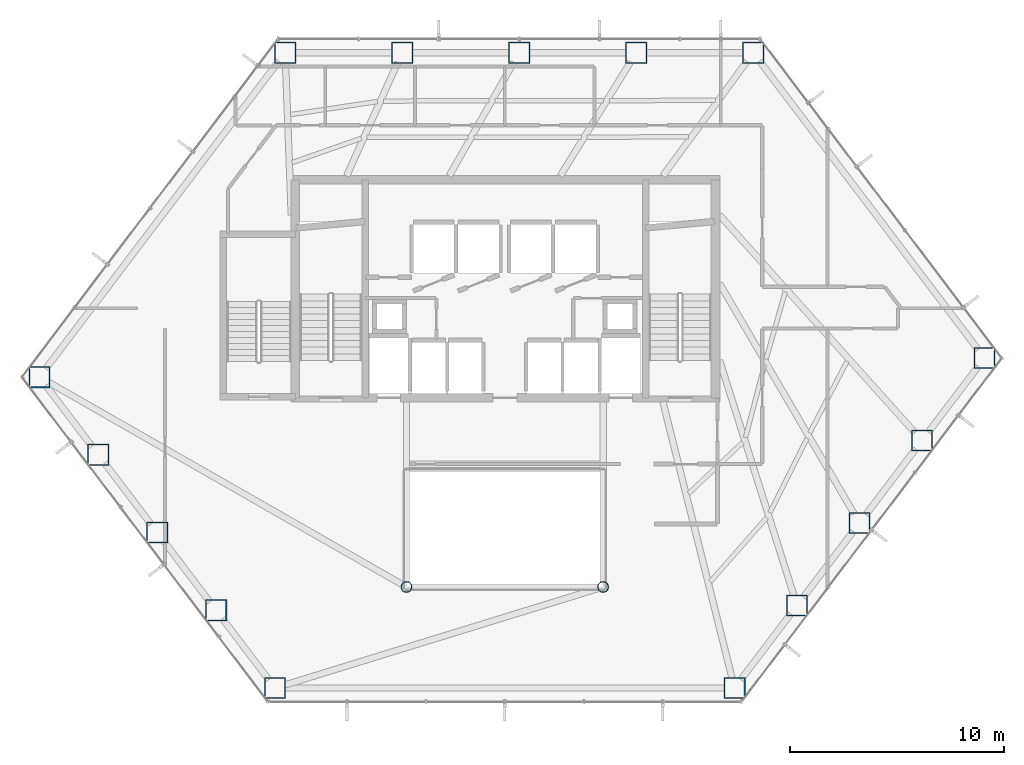
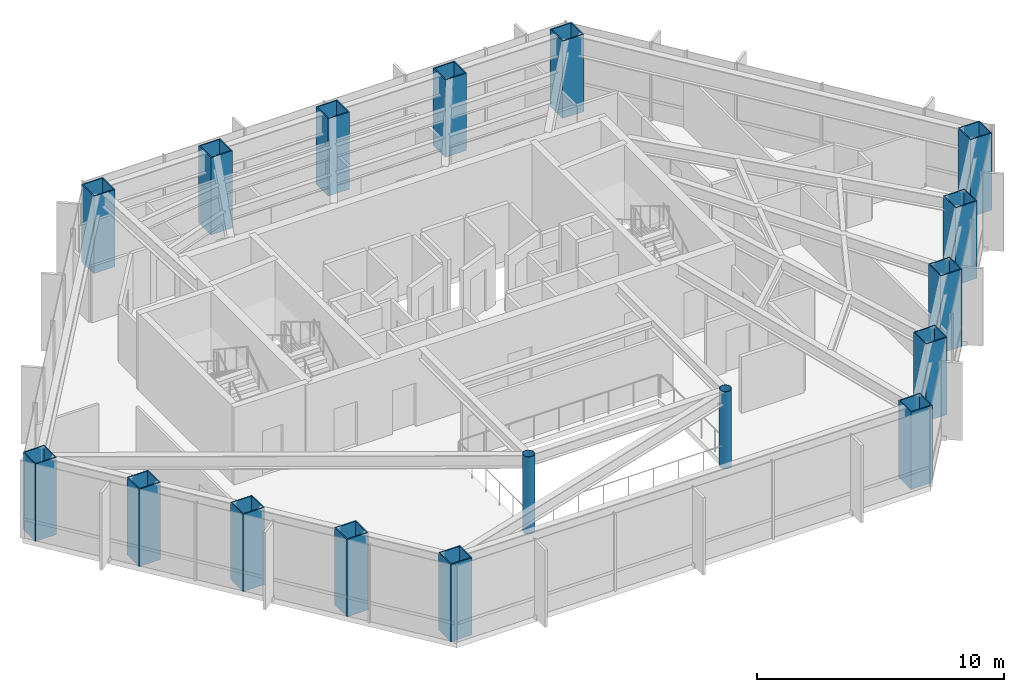
# One storey, part 1 of 25: 17 columns.
"""IFC4 building model written with IfcOpenShell, lengths in metres."""

from ifc_helpers import new_model, si_unit, direction, frame, origin, origin_2d, place, context, subcontext, project, spatial, hollow_rectangle, hollow_circle, extrude, material, material_profile, profile_set, type_object, element, save


model = new_model("IFC4")

# Units and contexts
model_context = context("Model", 3, precision=1e-05, world=origin(), true_north=direction((0.0, 1.0)))
body_context = subcontext(model_context, "Body", "Model", "MODEL_VIEW")
ifc_project = project(units=[si_unit("LENGTHUNIT", "METRE"), si_unit("AREAUNIT", "SQUARE_METRE"), si_unit("VOLUMEUNIT", "CUBIC_METRE"), si_unit("PLANEANGLEUNIT", "RADIAN"), si_unit("MASSUNIT", "GRAM", prefix="KILO")], contexts=[model_context])

# Site, building, storey
site_placement = place(None, origin())
site = spatial("IfcSite", under=ifc_project, at=site_placement, CompositionType="ELEMENT")
building_placement = place(site_placement, origin())
building = spatial("IfcBuilding", under=site, at=building_placement, Name="Zarrinselat Tower", CompositionType="ELEMENT")
storey_placement = place(building_placement, frame((0.0, 0.0, 43.860107421875)))
storey = spatial("IfcBuildingStorey", under=building, at=storey_placement, Name="L10", CompositionType="ELEMENT", Elevation=43.860107421875)

# Columns
ifc_material_1 = material(Name="Steel S355J2", Category="steel")
ifc_material_profile_1 = material_profile(ifc_material_1, hollow_circle(Radius=0.25390625, WallThickness=0.02001953125, at=origin_2d()), Name="CHS 508x20")
ifc_profile_set_1 = profile_set([ifc_material_profile_1], Name="Steel S355J2")
column_type_1 = type_object("IfcColumnType", Name="COL-CHS508", PredefinedType="COLUMN", material=ifc_profile_set_1)
for number, where, z_axis, x_axis, name in (
    (1, (33.800048828125, 24.39990234375, 0.0), (0.0, 0.0, 1.0), (1.0, 0.0, 0.0), "L10 Atrium Corner Column 1"),
    (2, (43.0, 24.39990234375, 0.0), (0.0, 0.0, 1.0), (1.0, 0.0, 0.0), "L10 Atrium Corner Column 2"),
):
    element("IfcColumn", number, at=place(storey_placement, frame(where, z_axis=z_axis, x_axis=x_axis)), inside=storey, type_object=column_type_1, Name=name, PredefinedType="COLUMN", context=body_context, shape_type="SweptSolid", body=[
        extrude(hollow_circle(Radius=0.25390625, WallThickness=0.02001953125, at=origin_2d()), origin(), (0.0, 0.0, 1.0), 3.81982421875),
    ])
ifc_material_2 = material(Name="Steel S460M", Category="steel")
ifc_material_profile_2 = material_profile(ifc_material_2, hollow_rectangle(XDim=1.0, YDim=1.0, WallThickness=0.050048828125, at=origin_2d()), Name="SHS 1000x1000x50")
ifc_profile_set_2 = profile_set([ifc_material_profile_2], Name="Steel S460M")
column_type_2 = type_object("IfcColumnType", Name="COL-SHS1000", PredefinedType="COLUMN", material=ifc_profile_set_2)
for number, where, z_axis, x_axis, name in (
    (3, (50.0263671875, 49.394287109375, 0.0), (0.0, 0.0, 1.0), (1.0, 0.0, 0.0), "L10 Framed-Tube Column T01"),
    (4, (44.55029296875, 49.394287109375, 0.0), (0.0, 0.0, 1.0), (1.0, 0.0, 0.0), "L10 Framed-Tube Column T02"),
    (5, (39.07421875, 49.394287109375, 0.0), (0.0, 0.0, 1.0), (1.0, 0.0, 0.0), "L10 Framed-Tube Column T03"),
    (6, (33.59814453125, 49.394287109375, 0.0), (0.0, 0.0, 1.0), (1.0, 0.0, 0.0), "L10 Framed-Tube Column T04"),
    (7, (28.1220703125, 49.394287109375, 0.0), (0.0, 0.0, 1.0), (1.0, 0.0, 0.0), "L10 Framed-Tube Column T05"),
    (8, (16.627197265625, 34.220947265625, 0.0), (0.0, 0.0, 1.0), (1.0, 0.0, 0.0), "L10 Framed-Tube Column T06"),
    (9, (19.382568359375, 30.583984375, 0.0), (0.0, 0.0, 1.0), (1.0, 0.0, 0.0), "L10 Framed-Tube Column T07"),
    (10, (22.1376953125, 26.947021484375, 0.0), (0.0, 0.0, 1.0), (1.0, 0.0, 0.0), "L10 Framed-Tube Column T08"),
    (11, (24.89306640625, 23.309814453125, 0.0), (0.0, 0.0, 1.0), (1.0, 0.0, 0.0), "L10 Framed-Tube Column T09"),
    (12, (27.6484375, 19.6728515625, 0.0), (0.0, 0.0, 1.0), (1.0, 0.0, 0.0), "L10 Framed-Tube Column T10"),
    (13, (49.151611328125, 19.6728515625, 0.0), (0.0, 0.0, 1.0), (1.0, 0.0, 0.0), "L10 Framed-Tube Column T11"),
    (14, (52.075439453125, 23.532470703125, 0.0), (0.0, 0.0, 1.0), (1.0, 0.0, 0.0), "L10 Framed-Tube Column T12"),
    (15, (54.999267578125, 27.391845703125, 0.0), (0.0, 0.0, 1.0), (1.0, 0.0, 0.0), "L10 Framed-Tube Column T13"),
    (16, (57.923095703125, 31.25146484375, 0.0), (0.0, 0.0, 1.0), (1.0, 0.0, 0.0), "L10 Framed-Tube Column T14"),
    (17, (60.84716796875, 35.111083984375, 0.0), (0.0, 0.0, 1.0), (1.0, 0.0, 0.0), "L10 Framed-Tube Column T15"),
):
    element("IfcColumn", number, at=place(storey_placement, frame(where, z_axis=z_axis, x_axis=x_axis)), inside=storey, type_object=column_type_2, Name=name, PredefinedType="COLUMN", context=body_context, shape_type="SweptSolid", body=[
        extrude(hollow_rectangle(XDim=1.0, YDim=1.0, WallThickness=0.050048828125, at=origin_2d()), origin(), (0.0, 0.0, 1.0), 3.81982421875),
    ])

save(model, "model.ifc")
